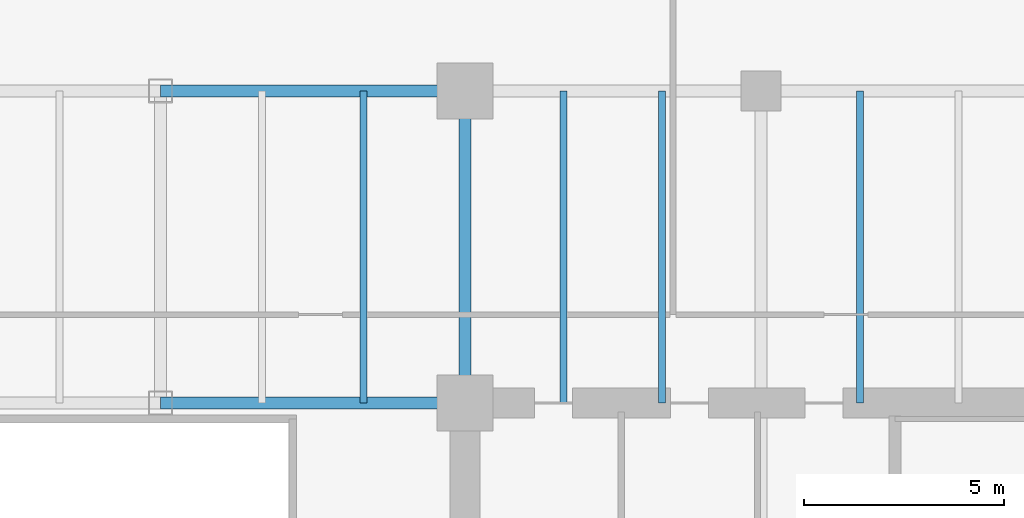
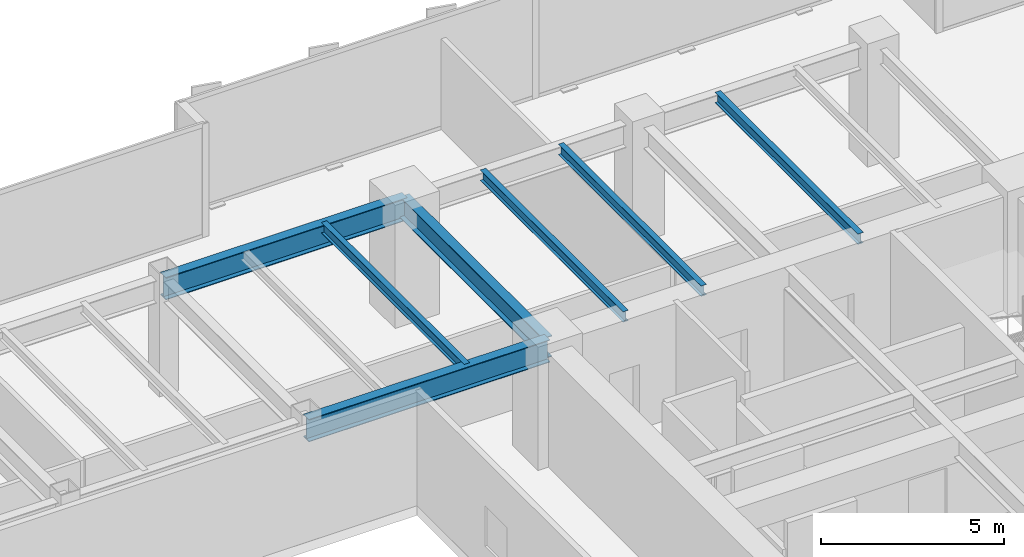
# One storey, part 19 of 36: 7 beams.
"""IFC4 building model written with IfcOpenShell, lengths in metres."""

import ifcopenshell
import ifcopenshell.guid

model = None  # the IFC model being written
_history = None  # IfcOwnerHistory: only IFC2X3 demands one
_inside = {}  # id of a spatial element -> (the spatial element, [elements in it])
_under = {}  # id of a project, library or spatial element -> (it, [spatial elements below it])
_declared = {}  # id of a project -> (the project, [libraries it declares])
_typed = {}  # id of a type object -> (the type object, [elements of that type])
_made_of = {}  # id of a material, layer set ... -> (it, [elements and type objects made of it])


def new_model(schema):
    """Start an empty IFC model of exactly this schema.

    Asked for "IFC4X3", IfcOpenShell would pick the latest addendum, in which some entities
    have other attributes; the version numbers below select the first issue.
    IFC2X3 requires an IfcOwnerHistory on every rooted entity: one is made here for all.
    """
    global model, _history
    if schema == "IFC4X3":
        model = ifcopenshell.file(schema_version=(4, 3, 0, 0))
    else:
        model = ifcopenshell.file(schema=schema)
    _inside.clear()
    _under.clear()
    _declared.clear()
    _typed.clear()
    _made_of.clear()
    _history = None
    if model.schema == "IFC2X3":
        org = make("IfcOrganization", Name="unknown")
        user = make(
            "IfcPersonAndOrganization",
            ThePerson=make("IfcPerson", FamilyName="unknown"),
            TheOrganization=org,
        )
        app = make(
            "IfcApplication",
            ApplicationDeveloper=org,
            Version="unknown",
            ApplicationFullName="unknown",
            ApplicationIdentifier="unknown",
        )
        _history = make(
            "IfcOwnerHistory",
            OwningUser=user,
            OwningApplication=app,
            ChangeAction="ADDED",
            CreationDate=0,
        )
    return model


def make(cls, **values):
    """One entity of the class cls with the attributes given. An attribute that is None is left unset."""
    return model.create_entity(
        cls, **{name: value for name, value in values.items() if value is not None}
    )


def rooted(cls, **values):
    """An entity with a GlobalId (a new one), such as an element, a storey or a relation."""
    return make(cls, GlobalId=ifcopenshell.guid.new(), OwnerHistory=_history, **values)


def si_unit(unit_type, name, prefix=None):
    """IfcSIUnit, for example si_unit("LENGTHUNIT", "METRE", prefix="MILLI")."""
    return make("IfcSIUnit", UnitType=unit_type, Prefix=prefix, Name=name)


def assignment(units):
    """IfcUnitAssignment: the units of a project."""
    return None if units is None else make("IfcUnitAssignment", Units=units)


def point(xyz):
    """IfcCartesianPoint."""
    return None if xyz is None else make("IfcCartesianPoint", Coordinates=xyz)


def direction(xyz):
    """IfcDirection."""
    return None if xyz is None else make("IfcDirection", DirectionRatios=xyz)


def frame(location, z_axis=None, x_axis=None):
    """IfcAxis2Placement3D, a coordinate frame: its origin and axes. An axis left out is left unset."""
    return make(
        "IfcAxis2Placement3D",
        Location=point(location),
        Axis=direction(z_axis),
        RefDirection=direction(x_axis),
    )


def frame_2d(location, x_axis=None):
    """IfcAxis2Placement2D, a coordinate frame in the plane: its origin and x axis."""
    return make(
        "IfcAxis2Placement2D", Location=point(location), RefDirection=direction(x_axis)
    )


def origin():
    """The frame at (0, 0, 0) with its axes left unset."""
    return frame((0.0, 0.0, 0.0))


def origin_2d():
    """The frame at (0, 0) in the plane with its x axis left unset."""
    return frame_2d((0.0, 0.0))


def place(relative_to, where):
    """IfcLocalPlacement: puts the frame where relative to a parent placement (None: the world)."""
    return make(
        "IfcLocalPlacement", PlacementRelTo=relative_to, RelativePlacement=where
    )


def context(
    kind, dimensions, precision=None, world=None, true_north=None, identifier=None
):
    """IfcGeometricRepresentationContext, for example the 3D "Model" context."""
    return make(
        "IfcGeometricRepresentationContext",
        ContextIdentifier=identifier,
        ContextType=kind,
        CoordinateSpaceDimension=dimensions,
        Precision=precision,
        WorldCoordinateSystem=world,
        TrueNorth=true_north,
    )


def subcontext(parent, identifier, kind, view, scale=None):
    """IfcGeometricRepresentationSubContext, for example "Body" below "Model"."""
    return make(
        "IfcGeometricRepresentationSubContext",
        ContextIdentifier=identifier,
        ContextType=kind,
        ParentContext=parent,
        TargetScale=scale,
        TargetView=view,
    )


def project(units=None, contexts=None):
    """IfcProject with its units and contexts."""
    return rooted(
        "IfcProject",
        Name="project",
        RepresentationContexts=contexts,
        UnitsInContext=assignment(units),
    )


def spatial(cls, under=None, at=None, **own):
    """A site, building, storey or space (cls), placed at a placement, below another one or the project."""
    s = rooted(cls, ObjectPlacement=at, **own)
    if under is not None:
        _under.setdefault(under.id(), (under, []))[1].append(s)
    return s


def profile(cls, at=None, kind="AREA", **sizes):
    """A parametric profile (cls). Its sizes go by their IFC names, for example OverallWidth=200.0."""
    return make(cls, ProfileType=kind, Position=at, **sizes)


def i_section(**sizes):
    """IfcIShapeProfileDef."""
    return profile("IfcIShapeProfileDef", **sizes)


def extrude(swept, where, along, depth):
    """IfcExtrudedAreaSolid: the profile swept, set in the frame where, extruded along a direction by depth."""
    return make(
        "IfcExtrudedAreaSolid",
        SweptArea=swept,
        Position=where,
        ExtrudedDirection=direction(along),
        Depth=depth,
    )


def shape(context_of_items, identifier, shape_type, items):
    """IfcShapeRepresentation: the items that make up one representation, for example the "Body"."""
    return make(
        "IfcShapeRepresentation",
        ContextOfItems=context_of_items,
        RepresentationIdentifier=identifier,
        RepresentationType=shape_type,
        Items=items,
    )


def source(mapping_origin, context_of_items, identifier, shape_type, items):
    """IfcRepresentationMap: a shape defined once, which mapped items show again and again."""
    return make(
        "IfcRepresentationMap",
        MappingOrigin=mapping_origin,
        MappedRepresentation=shape(context_of_items, identifier, shape_type, items),
    )


def transform(
    local_origin,
    x_axis=None,
    y_axis=None,
    z_axis=None,
    scale=None,
    scale2=None,
    scale3=None,
    uniform=True,
):
    """IfcCartesianTransformationOperator3D, or its non-uniform kind. x_axis, y_axis, z_axis: its Axis1, 2, 3."""
    if uniform:
        return make(
            "IfcCartesianTransformationOperator3D",
            Axis1=direction(x_axis),
            Axis2=direction(y_axis),
            LocalOrigin=point(local_origin),
            Scale=scale,
            Axis3=direction(z_axis),
        )
    return make(
        "IfcCartesianTransformationOperator3DnonUniform",
        Axis1=direction(x_axis),
        Axis2=direction(y_axis),
        LocalOrigin=point(local_origin),
        Scale=scale,
        Axis3=direction(z_axis),
        Scale2=scale2,
        Scale3=scale3,
    )


def mapped(mapping_source, mapping_target):
    """IfcMappedItem: shows the shape of a source again, moved by a transform."""
    return make(
        "IfcMappedItem", MappingSource=mapping_source, MappingTarget=mapping_target
    )


def material(Name=None, Category=None):
    """IfcMaterial."""
    return make("IfcMaterial", Name=Name, Category=Category)


def material_profile(
    of_material, cross_section, Name=None, Category=None, Priority=None
):
    """IfcMaterialProfile: a cross section and its material."""
    return make(
        "IfcMaterialProfile",
        Name=Name,
        Material=of_material,
        Profile=cross_section,
        Priority=Priority,
        Category=Category,
    )


def profile_set(profiles, Name=None, composite=None):
    """IfcMaterialProfileSet."""
    return make(
        "IfcMaterialProfileSet",
        Name=Name,
        MaterialProfiles=profiles,
        CompositeProfile=composite,
    )


def made_of(thing, what):
    """Note that an element or type object is made of a material, layer set ...; save() writes the relation."""
    if what is not None:
        _made_of.setdefault(what.id(), (what, []))[1].append(thing)
    return thing


def type_object(cls, material=None, **own):
    """A type object (cls), such as IfcWallType, which elements share."""
    return made_of(rooted(cls, **own), material)


def type_shapes(of_type, sources):
    """Give a type object the sources (RepresentationMaps) that its elements show as mapped items."""
    of_type.RepresentationMaps = sources


def element(
    cls,
    number,
    at=None,
    inside=None,
    cuts=None,
    type_object=None,
    material=None,
    context=None,
    identifier="Body",
    shape_type=None,
    held_by="IfcProductDefinitionShape",
    body=None,
    shapes=None,
    **own,
):
    """One element of the class cls, such as IfcWall. Its Tag is "e" and its number.

    at: its placement. inside: the storey or other place that contains it. cuts: it is an
    opening in that element (IfcRelVoidsElement). A single representation is given by context,
    identifier, shape_type and body (its items); several are given by shapes. held_by: the class
    of the entity that holds the representations. save() writes the other relations.
    """
    e = rooted(cls, Tag="e%d" % number, ObjectPlacement=at, **own)
    if body is not None:
        shapes = [shape(context, identifier, shape_type, body)]
    if shapes is not None:
        e.Representation = make(held_by, Representations=shapes)
    if inside is not None:
        _inside.setdefault(inside.id(), (inside, []))[1].append(e)
    if cuts is not None:
        rooted(
            "IfcRelVoidsElement", RelatingBuildingElement=cuts, RelatedOpeningElement=e
        )
    if type_object is not None:
        _typed.setdefault(type_object.id(), (type_object, []))[1].append(e)
    return made_of(e, material)


def aggregate(whole, parts):
    """IfcRelAggregates: a whole, such as a stair, and the parts it consists of."""
    return rooted("IfcRelAggregates", RelatingObject=whole, RelatedObjects=parts)


def save(model, path):
    """Write the relations noted so far, then the file.

    IfcRelAggregates (storeys below a building ...), IfcRelContainedInSpatialStructure (elements
    in a storey), IfcRelDefinesByType, IfcRelAssociatesMaterial and IfcRelDeclares: one each for
    every whole, place, type object, material and project.
    """
    for whole, parts in _under.values():
        aggregate(whole, parts)
    for where, things in _inside.values():
        rooted(
            "IfcRelContainedInSpatialStructure",
            RelatedElements=things,
            RelatingStructure=where,
        )
    for kind, things in _typed.values():
        rooted("IfcRelDefinesByType", RelatedObjects=things, RelatingType=kind)
    for what, things in _made_of.values():
        rooted("IfcRelAssociatesMaterial", RelatedObjects=things, RelatingMaterial=what)
    for by, libraries in _declared.values():
        rooted("IfcRelDeclares", RelatingContext=by, RelatedDefinitions=libraries)
    model.write(path)


model = new_model("IFC4")

# Units and contexts
model_context = context("Model", 3, precision=1e-05, world=origin(), true_north=direction((0.0, 1.0)))
body_context = subcontext(model_context, "Body", "Model", "MODEL_VIEW")
ifc_project = project(units=[si_unit("LENGTHUNIT", "METRE"), si_unit("AREAUNIT", "SQUARE_METRE"), si_unit("VOLUMEUNIT", "CUBIC_METRE"), si_unit("PLANEANGLEUNIT", "RADIAN"), si_unit("MASSUNIT", "GRAM", prefix="KILO")], contexts=[model_context])

# Site, building, storey
site_placement = place(None, origin())
site = spatial("IfcSite", under=ifc_project, at=site_placement, CompositionType="ELEMENT")
building_placement = place(site_placement, origin())
building = spatial("IfcBuilding", under=site, at=building_placement, Name="Haelvirn Gate Laboratories", CompositionType="ELEMENT")
storey_placement = place(building_placement, frame((0.0, 0.0, 29.300048828125)))
storey = spatial("IfcBuildingStorey", under=building, at=storey_placement, Name="L07", CompositionType="ELEMENT", Elevation=29.300048828125)

# Beams
ifc_material = material(Name="Steel SM355", Category="steel")
ifc_material_profile_1 = material_profile(ifc_material, i_section(OverallWidth=0.300048828125, OverallDepth=0.699951171875, WebThickness=0.012939453125, FlangeThickness=0.02392578125, at=origin_2d()), Name="H-700x300x13x24")
ifc_profile_set_1 = profile_set([ifc_material_profile_1], Name="Steel SM355")
beam_type_1 = type_object("IfcBeamType", Name="BM-G-700", PredefinedType="BEAM", material=ifc_profile_set_1)
shared_shape_1 = source(origin(), body_context, "Body", "SweptSolid", [
    extrude(i_section(OverallWidth=0.300048828125, OverallDepth=0.699951171875, WebThickness=0.012939453125, FlangeThickness=0.02392578125, at=origin_2d()), origin(), (0.0, 0.0, 1.0), 7.800048828125),
])
type_shapes(beam_type_1, [shared_shape_1])
beam_placement = place(storey_placement, frame((52.60009765625, 33.800048828125, 3.429931640625), z_axis=(0.0, 1.0, 0.0), x_axis=(-1.0, 0.0, 0.0)))
element("IfcBeam", 1, at=beam_placement, inside=storey, type_object=beam_type_1, Name="L07 Frame Girder X52.6 (33.8-41.6)", PredefinedType="BEAM", context=body_context, shape_type="MappedRepresentation", body=[
    mapped(shared_shape_1, transform((0.0, 0.0, 0.0), scale=1.0)),
])
ifc_material_profile_2 = material_profile(ifc_material, i_section(OverallWidth=0.300048828125, OverallDepth=0.75, WebThickness=0.013916015625, FlangeThickness=0.02392578125, at=origin_2d()), Name="H-750x300x14x24")
ifc_profile_set_2 = profile_set([ifc_material_profile_2], Name="Steel SM355")
beam_type_2 = type_object("IfcBeamType", Name="BM-G-750", PredefinedType="BEAM", material=ifc_profile_set_2)
shared_shape_2 = source(origin(), body_context, "Body", "SweptSolid", [
    extrude(i_section(OverallWidth=0.300048828125, OverallDepth=0.75, WebThickness=0.013916015625, FlangeThickness=0.02392578125, at=origin_2d()), origin(), (0.0, 0.0, 1.0), 7.60009765625),
])
type_shapes(beam_type_2, [shared_shape_2])
for number, where, z_axis, x_axis, name in (
    (2, (45.0, 33.800048828125, 3.405029296875), (1.0, 0.0, 0.0), (0.0, 1.0, 0.0), "L07 Primary Girder Y33.8 (45.0-52.6)"),
    (3, (45.0, 41.60009765625, 3.405029296875), (1.0, 0.0, 0.0), (0.0, 1.0, 0.0), "L07 Primary Girder Y41.6 (45.0-52.6)"),
):
    element("IfcBeam", number, at=place(storey_placement, frame(where, z_axis=z_axis, x_axis=x_axis)), inside=storey, type_object=beam_type_2, Name=name, PredefinedType="BEAM", context=body_context, shape_type="MappedRepresentation", body=[
        mapped(shared_shape_2, transform((0.0, 0.0, 0.0), scale=1.0)),
    ])
ifc_material_profile_3 = material_profile(ifc_material, i_section(OverallWidth=0.175048828125, OverallDepth=0.35009765625, WebThickness=0.007080078125, FlangeThickness=0.010986328125, at=origin_2d()), Name="H-350x175x7x11")
ifc_profile_set_3 = profile_set([ifc_material_profile_3], Name="Steel SM355")
beam_type_3 = type_object("IfcBeamType", Name="BM-J-350", PredefinedType="JOIST", material=ifc_profile_set_3)
shared_shape_3 = source(origin(), body_context, "Body", "SweptSolid", [
    extrude(i_section(OverallWidth=0.175048828125, OverallDepth=0.35009765625, WebThickness=0.007080078125, FlangeThickness=0.010986328125, at=origin_2d()), origin(), (0.0, 0.0, 1.0), 7.800048828125),
])
type_shapes(beam_type_3, [shared_shape_3])
for number, where, z_axis, x_axis, name in (
    (4, (50.070068359375, 33.800048828125, 3.60498046875), (0.0, 1.0, 0.0), (-1.0, 0.0, 0.0), "L07 Composite Lab Joist North X50.07"),
    (5, (55.070068359375, 33.800048828125, 3.60498046875), (0.0, 1.0, 0.0), (-1.0, 0.0, 0.0), "L07 Composite Lab Joist North X55.07"),
    (6, (57.530029296875, 33.800048828125, 3.60498046875), (0.0, 1.0, 0.0), (-1.0, 0.0, 0.0), "L07 Composite Lab Joist North X57.53"),
    (7, (62.469970703125, 33.800048828125, 3.60498046875), (0.0, 1.0, 0.0), (-1.0, 0.0, 0.0), "L07 Composite Lab Joist North X62.47"),
):
    element("IfcBeam", number, at=place(storey_placement, frame(where, z_axis=z_axis, x_axis=x_axis)), inside=storey, type_object=beam_type_3, Name=name, PredefinedType="JOIST", context=body_context, shape_type="MappedRepresentation", body=[
        mapped(shared_shape_3, transform((0.0, 0.0, 0.0), scale=1.0)),
    ])

save(model, "model.ifc")
